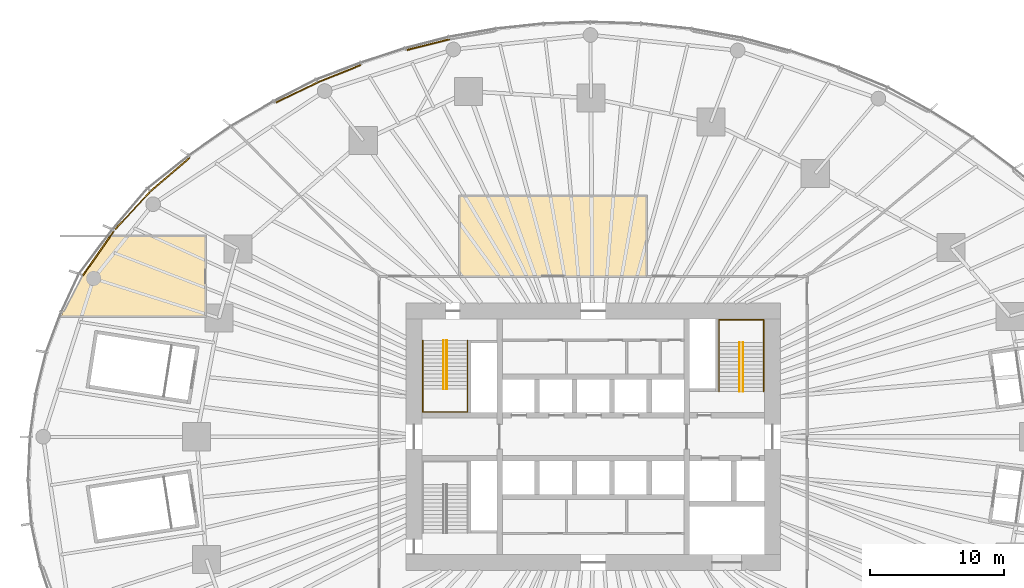
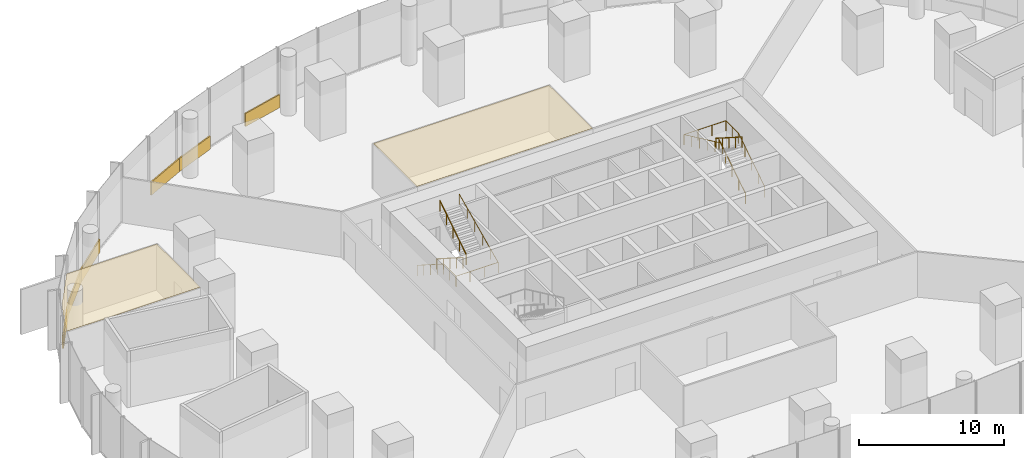
# One storey, part 25 of 27: 10 coverings, 6 railings.
"""IFC4 building model written with IfcOpenShell, lengths in metres."""

from ifc_helpers import new_model, si_unit, direction, frame, origin, origin_2d, place, context, subcontext, project, spatial, polyline, rectangle, circle, outline, extrude, material, layer, layer_set, type_object, element, save


model = new_model("IFC4")

# Units and contexts
model_context = context("Model", 3, precision=1e-05, world=origin(), true_north=direction((0.0, 1.0)))
body_context = subcontext(model_context, "Body", "Model", "MODEL_VIEW")
ifc_project = project(units=[si_unit("LENGTHUNIT", "METRE"), si_unit("AREAUNIT", "SQUARE_METRE"), si_unit("VOLUMEUNIT", "CUBIC_METRE"), si_unit("PLANEANGLEUNIT", "RADIAN"), si_unit("MASSUNIT", "GRAM", prefix="KILO")], contexts=[model_context])

# Site, building, storey
site_placement = place(None, origin())
site = spatial("IfcSite", under=ifc_project, at=site_placement, CompositionType="ELEMENT")
building_placement = place(site_placement, origin())
building = spatial("IfcBuilding", under=site, at=building_placement, Name="Ghaith Harvest Tower", CompositionType="ELEMENT")
storey_placement = place(building_placement, frame((0.0, 0.0, 10.0)))
storey = spatial("IfcBuildingStorey", under=building, at=storey_placement, Name="L02", CompositionType="ELEMENT", Elevation=10.0)

# Coverings
ifc_material_1 = material(Name="Mineral fibre ceiling tile", Category="gypsum")
ifc_layer_1 = layer(ifc_material_1, 0.014892578125)
ifc_layer_set_1 = layer_set([ifc_layer_1], Name="CEILING C3")
covering_type_1 = type_object("IfcCoveringType", Name="CEILING C3", PredefinedType="CEILING", material=ifc_layer_set_1)
covering_1_placement = place(storey_placement, frame((0.0, 0.0, 3.800048828125)))
element("IfcCovering", 1, at=covering_1_placement, inside=storey, type_object=covering_type_1, Name="Ceiling L02-01", PredefinedType="CEILING", context=body_context, shape_type="SweptSolid", body=[
    extrude(outline(polyline([(-10.0, 12.0), (4.0, 12.0), (4.0, 18.0), (-10.0, 18.0), (-10.0, 12.0)])), origin(), (0.0, 0.0, 1.0), 0.014892578125),
])
covering_2_placement = place(storey_placement, frame((0.0, 0.0, 3.800048828125)))
element("IfcCovering", 2, at=covering_2_placement, inside=storey, type_object=covering_type_1, Name="Ceiling L02-03", PredefinedType="CEILING", context=body_context, shape_type="SweptSolid", body=[
    extrude(outline(polyline([(-29.0, 15.0), (-29.0, 9.0), (-39.79150390625, 9.0), (-39.67919921875, 9.298095703125), (-38.212890625, 12.1103515625), (-36.185302734375, 15.0), (-29.0, 15.0)])), origin(), (0.0, 0.0, 1.0), 0.014892578125),
])

# Railings
ifc_material_2 = material(Name="Steel, black powder-coated", Category="steel")
railing_type = type_object("IfcRailingType", Name="HANDRAIL HR1", PredefinedType="HANDRAIL", material=ifc_material_2)
railing_1_placement = place(storey_placement, frame((-11.199951171875, 7.199951171875, 0.178466796875)))
element("IfcRailing", 3, at=railing_1_placement, inside=storey, type_object=railing_type, Name="Handrail HR1 stair ST1 L02 flight 1 inner", PredefinedType="HANDRAIL", context=body_context, shape_type="SweptSolid", body=[
    extrude(circle(Radius=0.02392578125, at=origin_2d()), frame((0.0, 0.0, 0.8759765625), z_axis=(0.0, -0.843111507901, 0.53773877045), x_axis=(1.0, 0.0, 0.0)), (0.0, 0.0, 1.0), 4.317138671875),
    extrude(circle(Radius=0.02099609375, at=origin_2d()), origin(), (0.0, 0.0, 1.0), 0.851806640625),
    extrude(circle(Radius=0.02099609375, at=origin_2d()), frame((0.0, -0.909912109375, 0.580322265625)), (0.0, 0.0, 1.0), 0.851806640625),
    extrude(circle(Radius=0.02099609375, at=origin_2d()), frame((0.0, -1.81982421875, 1.16064453125)), (0.0, 0.0, 1.0), 0.851806640625),
    extrude(circle(Radius=0.02099609375, at=origin_2d()), frame((0.0, -2.72998046875, 1.7412109375)), (0.0, 0.0, 1.0), 0.851806640625),
    extrude(circle(Radius=0.02099609375, at=origin_2d()), frame((0.0, -3.639892578125, 2.321533203125)), (0.0, 0.0, 1.0), 0.851806640625),
])
railing_2_placement = place(storey_placement, frame((-10.949951171875, 3.56005859375, 2.678466796875)))
element("IfcRailing", 4, at=railing_2_placement, inside=storey, type_object=railing_type, Name="Handrail HR1 stair ST1 L02 flight 2 inner", PredefinedType="HANDRAIL", context=body_context, shape_type="SweptSolid", body=[
    extrude(circle(Radius=0.02392578125, at=origin_2d()), frame((0.0, 0.0, 0.8759765625), z_axis=(0.0, 0.843111507901, 0.53773877045), x_axis=(-1.0, 0.0, 0.0)), (0.0, 0.0, 1.0), 4.317138671875),
    extrude(circle(Radius=0.02099609375, at=origin_2d()), origin(), (0.0, 0.0, 1.0), 0.851806640625),
    extrude(circle(Radius=0.02099609375, at=origin_2d()), frame((0.0, 0.909912109375, 0.580322265625)), (0.0, 0.0, 1.0), 0.851806640625),
    extrude(circle(Radius=0.02099609375, at=origin_2d()), frame((0.0, 1.81982421875, 1.16064453125)), (0.0, 0.0, 1.0), 0.851806640625),
    extrude(circle(Radius=0.02099609375, at=origin_2d()), frame((0.0, 2.72998046875, 1.7412109375)), (0.0, 0.0, 1.0), 0.851806640625),
    extrude(circle(Radius=0.02099609375, at=origin_2d()), frame((0.0, 3.639892578125, 2.321533203125)), (0.0, 0.0, 1.0), 0.851806640625),
])
railing_3_placement = place(storey_placement, frame((-12.75, 7.199951171875, 0.178466796875)))
element("IfcRailing", 5, at=railing_3_placement, inside=storey, type_object=railing_type, Name="Handrail HR1 stair ST1 L02 wall side", PredefinedType="HANDRAIL", context=body_context, shape_type="SweptSolid", body=[
    extrude(circle(Radius=0.02392578125, at=origin_2d()), frame((0.0, 0.0, 0.8759765625), z_axis=(0.0, -0.843111507901, 0.53773877045), x_axis=(1.0, 0.0, 0.0)), (0.0, 0.0, 1.0), 4.317138671875),
    extrude(circle(Radius=0.02392578125, at=origin_2d()), frame((0.0, -3.639892578125, 3.197265625), z_axis=(0.0, -1.0, 0.0), x_axis=(1.0, 0.0, 0.0)), (0.0, 0.0, 1.0), 1.7099609375),
    extrude(circle(Radius=0.02392578125, at=origin_2d()), frame((0.0, -5.349853515625, 3.197265625), z_axis=(1.0, 0.0, 0.0), x_axis=(0.0, 1.0, 0.0)), (0.0, 0.0, 1.0), 3.35009765625),
    extrude(circle(Radius=0.02392578125, at=origin_2d()), frame((3.35009765625, -5.349853515625, 3.197265625), z_axis=(0.0, 0.905962265858, 0.423358444868), x_axis=(-1.0, 0.0, 0.0)), (0.0, 0.0, 1.0), 5.9052734375),
    extrude(circle(Radius=0.02099609375, at=origin_2d()), origin(), (0.0, 0.0, 1.0), 0.851806640625),
    extrude(circle(Radius=0.02099609375, at=origin_2d()), frame((0.0, -0.909912109375, 0.580322265625)), (0.0, 0.0, 1.0), 0.851806640625),
    extrude(circle(Radius=0.02099609375, at=origin_2d()), frame((0.0, -1.81982421875, 1.16064453125)), (0.0, 0.0, 1.0), 0.851806640625),
    extrude(circle(Radius=0.02099609375, at=origin_2d()), frame((0.0, -2.72998046875, 1.7412109375)), (0.0, 0.0, 1.0), 0.851806640625),
    extrude(circle(Radius=0.02099609375, at=origin_2d()), frame((0.0, -3.639892578125, 2.321533203125)), (0.0, 0.0, 1.0), 0.851806640625),
    extrude(circle(Radius=0.02099609375, at=origin_2d()), frame((0.0, -4.494873046875, 2.321533203125)), (0.0, 0.0, 1.0), 0.851806640625),
    extrude(circle(Radius=0.02099609375, at=origin_2d()), frame((0.0, -5.349853515625, 2.321533203125)), (0.0, 0.0, 1.0), 0.851806640625),
    extrude(circle(Radius=0.02099609375, at=origin_2d()), frame((1.11669921875, -5.349853515625, 2.321533203125)), (0.0, 0.0, 1.0), 0.851806640625),
    extrude(circle(Radius=0.02099609375, at=origin_2d()), frame((2.2333984375, -5.349853515625, 2.321533203125)), (0.0, 0.0, 1.0), 0.851806640625),
    extrude(circle(Radius=0.02099609375, at=origin_2d()), frame((3.35009765625, -5.349853515625, 2.321533203125)), (0.0, 0.0, 1.0), 0.851806640625),
    extrude(circle(Radius=0.02099609375, at=origin_2d()), frame((3.35009765625, -4.27978515625, 2.821533203125)), (0.0, 0.0, 1.0), 0.851806640625),
    extrude(circle(Radius=0.02099609375, at=origin_2d()), frame((3.35009765625, -3.2099609375, 3.321533203125)), (0.0, 0.0, 1.0), 0.851806640625),
    extrude(circle(Radius=0.02099609375, at=origin_2d()), frame((3.35009765625, -2.139892578125, 3.821533203125)), (0.0, 0.0, 1.0), 0.851806640625),
    extrude(circle(Radius=0.02099609375, at=origin_2d()), frame((3.35009765625, -1.070068359375, 4.321533203125)), (0.0, 0.0, 1.0), 0.851806640625),
    extrude(circle(Radius=0.02099609375, at=origin_2d()), frame((3.35009765625, 0.0, 4.821533203125)), (0.0, 0.0, 1.0), 0.851806640625),
])
railing_4_placement = place(storey_placement, frame((11.199951171875, 3.39990234375, 0.178466796875)))
element("IfcRailing", 6, at=railing_4_placement, inside=storey, type_object=railing_type, Name="Handrail HR1 stair ST2 L02 flight 1 inner", PredefinedType="HANDRAIL", context=body_context, shape_type="SweptSolid", body=[
    extrude(circle(Radius=0.02392578125, at=origin_2d()), frame((0.0, 0.0, 0.8759765625), z_axis=(0.0, 0.843127859045, 0.537713132908), x_axis=(-1.0, 0.0, 0.0)), (0.0, 0.0, 1.0), 4.3173828125),
    extrude(circle(Radius=0.02099609375, at=origin_2d()), origin(), (0.0, 0.0, 1.0), 0.851806640625),
    extrude(circle(Radius=0.02099609375, at=origin_2d()), frame((0.0, 0.91015625, 0.580322265625)), (0.0, 0.0, 1.0), 0.851806640625),
    extrude(circle(Radius=0.02099609375, at=origin_2d()), frame((0.0, 1.820068359375, 1.16064453125)), (0.0, 0.0, 1.0), 0.851806640625),
    extrude(circle(Radius=0.02099609375, at=origin_2d()), frame((0.0, 2.72998046875, 1.7412109375)), (0.0, 0.0, 1.0), 0.851806640625),
    extrude(circle(Radius=0.02099609375, at=origin_2d()), frame((0.0, 3.64013671875, 2.321533203125)), (0.0, 0.0, 1.0), 0.851806640625),
])
railing_5_placement = place(storey_placement, frame((10.949951171875, 7.0400390625, 2.678466796875)))
element("IfcRailing", 7, at=railing_5_placement, inside=storey, type_object=railing_type, Name="Handrail HR1 stair ST2 L02 flight 2 inner", PredefinedType="HANDRAIL", context=body_context, shape_type="SweptSolid", body=[
    extrude(circle(Radius=0.02392578125, at=origin_2d()), frame((0.0, 0.0, 0.8759765625), z_axis=(0.0, -0.843127859045, 0.537713132908), x_axis=(1.0, 0.0, 0.0)), (0.0, 0.0, 1.0), 4.3173828125),
    extrude(circle(Radius=0.02099609375, at=origin_2d()), origin(), (0.0, 0.0, 1.0), 0.851806640625),
    extrude(circle(Radius=0.02099609375, at=origin_2d()), frame((0.0, -0.91015625, 0.580322265625)), (0.0, 0.0, 1.0), 0.851806640625),
    extrude(circle(Radius=0.02099609375, at=origin_2d()), frame((0.0, -1.820068359375, 1.16064453125)), (0.0, 0.0, 1.0), 0.851806640625),
    extrude(circle(Radius=0.02099609375, at=origin_2d()), frame((0.0, -2.72998046875, 1.7412109375)), (0.0, 0.0, 1.0), 0.851806640625),
    extrude(circle(Radius=0.02099609375, at=origin_2d()), frame((0.0, -3.64013671875, 2.321533203125)), (0.0, 0.0, 1.0), 0.851806640625),
])
railing_6_placement = place(storey_placement, frame((12.75, 3.39990234375, 0.178466796875)))
element("IfcRailing", 8, at=railing_6_placement, inside=storey, type_object=railing_type, Name="Handrail HR1 stair ST2 L02 wall side", PredefinedType="HANDRAIL", context=body_context, shape_type="SweptSolid", body=[
    extrude(circle(Radius=0.02392578125, at=origin_2d()), frame((0.0, 0.0, 0.8759765625), z_axis=(0.0, 0.843127859045, 0.537713132908), x_axis=(-1.0, 0.0, 0.0)), (0.0, 0.0, 1.0), 4.3173828125),
    extrude(circle(Radius=0.02392578125, at=origin_2d()), frame((0.0, 3.64013671875, 3.197265625), z_axis=(0.0, 1.0, 0.0), x_axis=(-1.0, 0.0, 0.0)), (0.0, 0.0, 1.0), 1.7099609375),
    extrude(circle(Radius=0.02392578125, at=origin_2d()), frame((0.0, 5.35009765625, 3.197265625), z_axis=(-1.0, 0.0, 0.0), x_axis=(0.0, -1.0, 0.0)), (0.0, 0.0, 1.0), 3.35009765625),
    extrude(circle(Radius=0.02392578125, at=origin_2d()), frame((-3.35009765625, 5.35009765625, 3.197265625), z_axis=(0.0, -0.905969675553, 0.423342588193), x_axis=(1.0, 0.0, 0.0)), (0.0, 0.0, 1.0), 5.9052734375),
    extrude(circle(Radius=0.02099609375, at=origin_2d()), origin(), (0.0, 0.0, 1.0), 0.851806640625),
    extrude(circle(Radius=0.02099609375, at=origin_2d()), frame((0.0, 0.91015625, 0.580322265625)), (0.0, 0.0, 1.0), 0.851806640625),
    extrude(circle(Radius=0.02099609375, at=origin_2d()), frame((0.0, 1.820068359375, 1.16064453125)), (0.0, 0.0, 1.0), 0.851806640625),
    extrude(circle(Radius=0.02099609375, at=origin_2d()), frame((0.0, 2.72998046875, 1.7412109375)), (0.0, 0.0, 1.0), 0.851806640625),
    extrude(circle(Radius=0.02099609375, at=origin_2d()), frame((0.0, 3.64013671875, 2.321533203125)), (0.0, 0.0, 1.0), 0.851806640625),
    extrude(circle(Radius=0.02099609375, at=origin_2d()), frame((0.0, 4.4951171875, 2.321533203125)), (0.0, 0.0, 1.0), 0.851806640625),
    extrude(circle(Radius=0.02099609375, at=origin_2d()), frame((0.0, 5.35009765625, 2.321533203125)), (0.0, 0.0, 1.0), 0.851806640625),
    extrude(circle(Radius=0.02099609375, at=origin_2d()), frame((-1.11669921875, 5.35009765625, 2.321533203125)), (0.0, 0.0, 1.0), 0.851806640625),
    extrude(circle(Radius=0.02099609375, at=origin_2d()), frame((-2.2333984375, 5.35009765625, 2.321533203125)), (0.0, 0.0, 1.0), 0.851806640625),
    extrude(circle(Radius=0.02099609375, at=origin_2d()), frame((-3.35009765625, 5.35009765625, 2.321533203125)), (0.0, 0.0, 1.0), 0.851806640625),
    extrude(circle(Radius=0.02099609375, at=origin_2d()), frame((-3.35009765625, 4.280029296875, 2.821533203125)), (0.0, 0.0, 1.0), 0.851806640625),
    extrude(circle(Radius=0.02099609375, at=origin_2d()), frame((-3.35009765625, 3.2099609375, 3.321533203125)), (0.0, 0.0, 1.0), 0.851806640625),
    extrude(circle(Radius=0.02099609375, at=origin_2d()), frame((-3.35009765625, 2.14013671875, 3.821533203125)), (0.0, 0.0, 1.0), 0.851806640625),
    extrude(circle(Radius=0.02099609375, at=origin_2d()), frame((-3.35009765625, 1.070068359375, 4.321533203125)), (0.0, 0.0, 1.0), 0.851806640625),
    extrude(circle(Radius=0.02099609375, at=origin_2d()), frame((-3.35009765625, 0.0, 4.821533203125)), (0.0, 0.0, 1.0), 0.851806640625),
])

# Coverings
ifc_material_3 = material(Name="Insulated aluminium spandrel panel on steel framing", Category="steel")
ifc_layer_2 = layer(ifc_material_3, 0.10009765625)
ifc_layer_set_2 = layer_set([ifc_layer_2], Name="SLAB EDGE UPSTAND 1100x100")
covering_type_2 = type_object("IfcCoveringType", Name="SLAB EDGE UPSTAND 1100x100", PredefinedType="CLADDING", material=ifc_layer_set_2)
covering_3_placement = place(storey_placement, frame((-12.330322265625, 29.32861328125, 0.0), z_axis=(0.0, 0.0, 1.0), x_axis=(-0.969536544234, -0.244946707255, 0.0)))
element("IfcCovering", 9, at=covering_3_placement, inside=storey, type_object=covering_type_2, Name="Slab edge upstand 1 bay 07 L02", PredefinedType="CLADDING", context=body_context, shape_type="SweptSolid", body=[
    extrude(rectangle(XDim=3.27490234375, YDim=0.10009765625, at=origin_2d()), origin(), (0.0, 0.0, 1.0), 1.10009765625),
])
covering_4_placement = place(storey_placement, frame((-18.998291015625, 27.154296875, 0.0), z_axis=(0.0, 0.0, 1.0), x_axis=(-0.928146567781, -0.372214922749, 0.0)))
element("IfcCovering", 10, at=covering_4_placement, inside=storey, type_object=covering_type_2, Name="Slab edge upstand 3 bay 07 L02", PredefinedType="CLADDING", context=body_context, shape_type="SweptSolid", body=[
    extrude(rectangle(XDim=3.464111328125, YDim=0.10009765625, at=origin_2d()), origin(), (0.0, 0.0, 1.0), 1.10009765625),
])
covering_5_placement = place(storey_placement, frame((-22.157958984375, 25.7587890625, 0.0), z_axis=(0.0, 0.0, 1.0), x_axis=(-0.900242920536, -0.435387969546, 0.0)))
element("IfcCovering", 11, at=covering_5_placement, inside=storey, type_object=covering_type_2, Name="Slab edge upstand 1 bay 08 L02", PredefinedType="CLADDING", context=body_context, shape_type="SweptSolid", body=[
    extrude(rectangle(XDim=3.45556640625, YDim=0.10009765625, at=origin_2d()), origin(), (0.0, 0.0, 1.0), 1.10009765625),
])
covering_6_placement = place(storey_placement, frame((-31.640625, 19.62890625, 0.0), z_axis=(0.0, 0.0, 1.0), x_axis=(-0.759360906785, -0.650669665227, 0.0)))
element("IfcCovering", 12, at=covering_6_placement, inside=storey, type_object=covering_type_2, Name="Slab edge upstand 1 bay 09 L02", PredefinedType="CLADDING", context=body_context, shape_type="SweptSolid", body=[
    extrude(rectangle(XDim=3.822998046875, YDim=0.10009765625, at=origin_2d()), origin(), (0.0, 0.0, 1.0), 1.10009765625),
])
covering_7_placement = place(storey_placement, frame((-33.271484375, 18.190673828125, 0.0), z_axis=(0.0, 0.0, 1.0), x_axis=(-0.678856404062, -0.734271055309, 0.0)))
element("IfcCovering", 13, at=covering_7_placement, inside=storey, type_object=covering_type_2, Name="Slab edge upstand 2 bay 09 L02", PredefinedType="CLADDING", context=body_context, shape_type="SweptSolid", body=[
    extrude(rectangle(XDim=0.541015625, YDim=0.10009765625, at=origin_2d()), origin(), (0.0, 0.0, 1.0), 1.10009765625),
])
covering_8_placement = place(storey_placement, frame((-34.63232421875, 16.71875, 0.0), z_axis=(0.0, 0.0, 1.0), x_axis=(-0.678856404062, -0.734271055309, 0.0)))
element("IfcCovering", 14, at=covering_8_placement, inside=storey, type_object=covering_type_2, Name="Slab edge upstand 2 bay 09 L02", PredefinedType="CLADDING", context=body_context, shape_type="SweptSolid", body=[
    extrude(rectangle(XDim=3.30126953125, YDim=0.10009765625, at=origin_2d()), origin(), (0.0, 0.0, 1.0), 1.10009765625),
])
covering_9_placement = place(storey_placement, frame((-36.90087890625, 13.893310546875, 0.0), z_axis=(0.0, 0.0, 1.0), x_axis=(-0.574389228608, -0.818582319659, 0.0)))
element("IfcCovering", 15, at=covering_9_placement, inside=storey, type_object=covering_type_2, Name="Slab edge upstand 3 bay 09 L02", PredefinedType="CLADDING", context=body_context, shape_type="SweptSolid", body=[
    extrude(rectangle(XDim=3.57568359375, YDim=0.10009765625, at=origin_2d()), origin(), (0.0, 0.0, 1.0), 1.10009765625),
])
covering_10_placement = place(storey_placement, frame((-38.068115234375, 12.22998046875, 0.0), z_axis=(0.0, 0.0, 1.0), x_axis=(-0.574389228608, -0.818582319659, 0.0)))
element("IfcCovering", 16, at=covering_10_placement, inside=storey, type_object=covering_type_2, Name="Slab edge upstand 3 bay 09 L02", PredefinedType="CLADDING", context=body_context, shape_type="SweptSolid", body=[
    extrude(rectangle(XDim=0.3623046875, YDim=0.10009765625, at=origin_2d()), origin(), (0.0, 0.0, 1.0), 1.10009765625),
])

save(model, "model.ifc")
